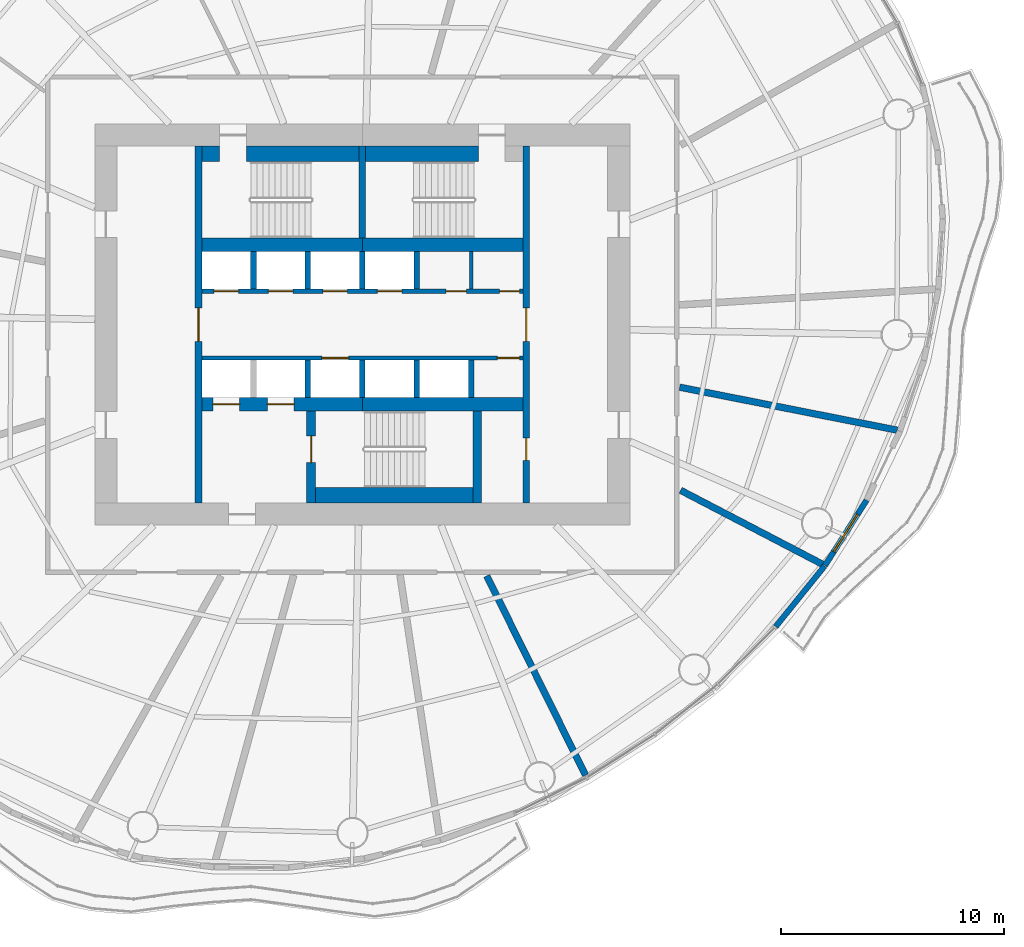
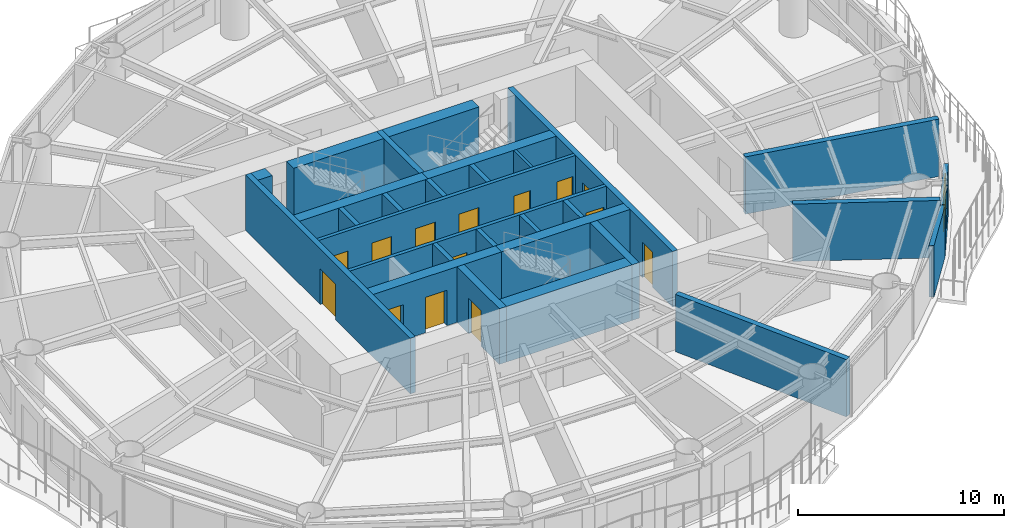
# One storey, part 9 of 15: 29 walls, 14 doors, 1 window, 15 openings.
"""IFC4 building model written with IfcOpenShell, lengths in metres."""

from ifc_helpers import new_model, si_unit, direction, frame, frame_2d, origin, place, context, subcontext, project, spatial, rectangle, extrude, material, layer, layer_set, type_object, element, fill, save


model = new_model("IFC4")

# Units and contexts
model_context = context("Model", 3, precision=1e-05, world=origin(), true_north=direction((0.0, 1.0)))
body_context = subcontext(model_context, "Body", "Model", "MODEL_VIEW")
ifc_project = project(units=[si_unit("LENGTHUNIT", "METRE"), si_unit("AREAUNIT", "SQUARE_METRE"), si_unit("VOLUMEUNIT", "CUBIC_METRE"), si_unit("PLANEANGLEUNIT", "RADIAN"), si_unit("MASSUNIT", "GRAM", prefix="KILO")], contexts=[model_context])

# Site, building, storey
site_placement = place(None, origin())
site = spatial("IfcSite", under=ifc_project, at=site_placement, CompositionType="ELEMENT")
building_placement = place(site_placement, origin())
building = spatial("IfcBuilding", under=site, at=building_placement, Name="Vermilion Reach Broadcast Tower", CompositionType="ELEMENT")
storey_placement = place(building_placement, frame((0.0, 0.0, 175.800048828125)))
storey = spatial("IfcBuildingStorey", under=building, at=storey_placement, Name="L42", CompositionType="ELEMENT", Elevation=175.800048828125)

# Wall, opening, door
ifc_material_1 = material(Name="Concrete C70", Category="concrete")
ifc_layer_1 = layer(ifc_material_1, 0.300048828125)
ifc_layer_set_1 = layer_set([ifc_layer_1], Name="Core inner wall 300 mm Concrete C70")
wall_type_1 = type_object("IfcWallType", Name="Core inner wall 300 mm Concrete C70", PredefinedType="SHEAR", material=ifc_layer_set_1)
wall_1_placement = place(storey_placement, frame((-13.35009765625, 8.0, 0.0), z_axis=(0.0, 0.0, 1.0), x_axis=(0.0, -1.0, 0.0)))
wall_1 = element("IfcWall", 1, at=wall_1_placement, inside=storey, type_object=wall_type_1, Name="L42 core wall ewW", PredefinedType="SHEAR", context=body_context, shape_type="SweptSolid", body=[
    extrude(rectangle(XDim=16.0, YDim=0.300048828125, at=frame_2d((8.0, 0.0))), origin(), (0.0, 0.0, 1.0), 3.300048828125),
])
opening_1_placement = place(wall_1_placement, frame((7.25, 0.0, 0.0)))
opening_1 = element("IfcOpeningElement", 2, at=opening_1_placement, cuts=wall_1, Name="Opening D04", PredefinedType="OPENING", context=body_context, shape_type="SweptSolid", body=[
    extrude(rectangle(XDim=1.5, YDim=2.10009765625, at=frame_2d((0.75, 1.050048828125))), frame((0.0, 0.159912109375, 0.0), z_axis=(0.0, -1.0, 0.0), x_axis=(1.0, 0.0, 0.0)), (0.0, 0.0, 1.0), 0.320068359375),
])
ifc_material_2 = material(Name="Painted steel fire door", Category="steel")
door_type_1 = type_object("IfcDoorType", Name="Lift lobby door 1500 x 2100", OperationType="DOUBLE_DOOR_SINGLE_SWING", PredefinedType="NOTDEFINED", material=ifc_material_2)
door_1_placement = place(opening_1_placement, origin())
door_1 = element("IfcDoor", 3, at=door_1_placement, inside=storey, type_object=door_type_1, Name="L42 band door BW", OperationType="DOUBLE_DOOR_SINGLE_SWING", OverallHeight=2.10009765625, OverallWidth=1.5, PredefinedType="NOTDEFINED", context=body_context, shape_type="SweptSolid", body=[
    extrude(rectangle(XDim=1.5, YDim=2.10009765625, at=frame_2d((0.75, 1.050048828125))), frame((0.0, 0.02490234375, 0.0), z_axis=(0.0, -1.0, 0.0), x_axis=(1.0, 0.0, 0.0)), (0.0, 0.0, 1.0), 0.050048828125),
])
fill(opening_1, door_1)

# Wall, openings, doors
wall_2_placement = place(storey_placement, frame((1.35009765625, -8.0, 0.0), z_axis=(0.0, 0.0, 1.0), x_axis=(0.0, 1.0, 0.0)))
wall_2 = element("IfcWall", 4, at=wall_2_placement, inside=storey, type_object=wall_type_1, Name="L42 core wall ewE", PredefinedType="SHEAR", context=body_context, shape_type="SweptSolid", body=[
    extrude(rectangle(XDim=16.0, YDim=0.300048828125, at=frame_2d((8.0, 0.0))), origin(), (0.0, 0.0, 1.0), 3.300048828125),
])
opening_2_placement = place(wall_2_placement, frame((1.909912109375, 0.0, 0.0)))
opening_2 = element("IfcOpeningElement", 5, at=opening_2_placement, cuts=wall_2, Name="Opening D05", PredefinedType="OPENING", context=body_context, shape_type="SweptSolid", body=[
    extrude(rectangle(XDim=1.0, YDim=2.10009765625, at=frame_2d((0.5, 1.050048828125))), frame((0.0, 0.159912109375, 0.0), z_axis=(0.0, -1.0, 0.0), x_axis=(1.0, 0.0, 0.0)), (0.0, 0.0, 1.0), 0.320068359375),
])
opening_3_placement = place(wall_2_placement, frame((7.25, 0.0, 0.0)))
opening_3 = element("IfcOpeningElement", 6, at=opening_3_placement, cuts=wall_2, Name="Opening D04", PredefinedType="OPENING", context=body_context, shape_type="SweptSolid", body=[
    extrude(rectangle(XDim=1.5, YDim=2.10009765625, at=frame_2d((0.75, 1.050048828125))), frame((0.0, 0.159912109375, 0.0), z_axis=(0.0, -1.0, 0.0), x_axis=(1.0, 0.0, 0.0)), (0.0, 0.0, 1.0), 0.320068359375),
])
door_2_placement = place(opening_3_placement, origin())
door_2 = element("IfcDoor", 7, at=door_2_placement, inside=storey, type_object=door_type_1, Name="L42 band door BE", OperationType="DOUBLE_DOOR_SINGLE_SWING", OverallHeight=2.10009765625, OverallWidth=1.5, PredefinedType="NOTDEFINED", context=body_context, shape_type="SweptSolid", body=[
    extrude(rectangle(XDim=1.5, YDim=2.10009765625, at=frame_2d((0.75, 1.050048828125))), frame((0.0, 0.02490234375, 0.0), z_axis=(0.0, -1.0, 0.0), x_axis=(1.0, 0.0, 0.0)), (0.0, 0.0, 1.0), 0.050048828125),
])
fill(opening_3, door_2)
ifc_material_3 = material(Name="Timber door", Category="wood")
door_type_2 = type_object("IfcDoorType", Name="Room door 1000 x 2100", OperationType="NOTDEFINED", PredefinedType="NOTDEFINED", material=ifc_material_3)
door_3_placement = place(opening_2_placement, origin())
door_3 = element("IfcDoor", 8, at=door_3_placement, inside=storey, type_object=door_type_2, Name="L42 door SER", OperationType="SINGLE_SWING_LEFT", OverallHeight=2.10009765625, OverallWidth=1.0, PredefinedType="NOTDEFINED", context=body_context, shape_type="SweptSolid", body=[
    extrude(rectangle(XDim=1.0, YDim=2.10009765625, at=frame_2d((0.5, 1.050048828125))), frame((0.0, 0.02490234375, 0.0), z_axis=(0.0, -1.0, 0.0), x_axis=(1.0, 0.0, 0.0)), (0.0, 0.0, 1.0), 0.050048828125),
])
fill(opening_2, door_3)

# Wall
wall_3_placement = place(storey_placement, frame((-6.0, 3.8798828125, 0.0), z_axis=(0.0, 0.0, 1.0), x_axis=(0.0, 1.0, 0.0)))
element("IfcWall", 9, at=wall_3_placement, inside=storey, type_object=wall_type_1, Name="L42 core wall wc", PredefinedType="SHEAR", context=body_context, shape_type="SweptSolid", body=[
    extrude(rectangle(XDim=4.1201171875, YDim=0.300048828125, at=frame_2d((2.06005859375, 0.0))), origin(), (0.0, 0.0, 1.0), 3.300048828125),
])

# Wall, opening, door
ifc_material_4 = material(Name="Concrete C70", Category="concrete")
ifc_layer_2 = layer(ifc_material_4, 0.39990234375)
ifc_layer_set_2 = layer_set([ifc_layer_2], Name="Core inner wall 400 mm Concrete C70")
wall_type_2 = type_object("IfcWallType", Name="Core inner wall 400 mm Concrete C70", PredefinedType="SHEAR", material=ifc_layer_set_2)
wall_4_placement = place(storey_placement, frame((-8.300048828125, -3.8798828125, 0.0), z_axis=(0.0, 0.0, 1.0), x_axis=(0.0, -1.0, 0.0)))
wall_4 = element("IfcWall", 10, at=wall_4_placement, inside=storey, type_object=wall_type_2, Name="L42 core wall wa", PredefinedType="SHEAR", context=body_context, shape_type="SweptSolid", body=[
    extrude(rectangle(XDim=4.1201171875, YDim=0.39990234375, at=frame_2d((2.06005859375, 0.0))), origin(), (0.0, 0.0, 1.0), 3.300048828125),
])
opening_4_placement = place(wall_4_placement, frame((1.110107421875, 0.0, 0.0)))
opening_4 = element("IfcOpeningElement", 11, at=opening_4_placement, cuts=wall_4, Name="Opening D01", PredefinedType="OPENING", context=body_context, shape_type="SweptSolid", body=[
    extrude(rectangle(XDim=1.199951171875, YDim=2.10009765625, at=frame_2d((0.60009765625, 1.050048828125))), frame((0.0, 0.2099609375, 0.0), z_axis=(0.0, -1.0, 0.0), x_axis=(1.0, 0.0, 0.0)), (0.0, 0.0, 1.0), 0.419921875),
])
ifc_material_5 = material(Name="Painted steel fire door", Category="steel")
door_type_3 = type_object("IfcDoorType", Name="Stair door 1200 x 2100", OperationType="DOUBLE_DOOR_SINGLE_SWING", PredefinedType="NOTDEFINED", material=ifc_material_5)
door_4_placement = place(opening_4_placement, origin())
door_4 = element("IfcDoor", 12, at=door_4_placement, inside=storey, type_object=door_type_3, Name="L42 stair door ST3", OperationType="DOUBLE_DOOR_SINGLE_SWING", OverallHeight=2.10009765625, OverallWidth=1.199951171875, PredefinedType="NOTDEFINED", context=body_context, shape_type="SweptSolid", body=[
    extrude(rectangle(XDim=1.199951171875, YDim=2.10009765625, at=frame_2d((0.60009765625, 1.050048828125))), frame((0.0, 0.02490234375, 0.0), z_axis=(0.0, -1.0, 0.0), x_axis=(1.0, 0.0, 0.0)), (0.0, 0.0, 1.0), 0.050048828125),
])
fill(opening_4, door_4)

# Walls
wall_5_placement = place(storey_placement, frame((-0.85009765625, -3.8798828125, 0.0), z_axis=(0.0, 0.0, 1.0), x_axis=(0.0, -1.0, 0.0)))
element("IfcWall", 13, at=wall_5_placement, inside=storey, type_object=wall_type_2, Name="L42 core wall wb", PredefinedType="SHEAR", context=body_context, shape_type="SweptSolid", body=[
    extrude(rectangle(XDim=4.1201171875, YDim=0.39990234375, at=frame_2d((2.06005859375, 0.0))), origin(), (0.0, 0.0, 1.0), 3.300048828125),
])
ifc_material_6 = material(Name="Concrete C70", Category="concrete")
ifc_layer_3 = layer(ifc_material_6, 0.60009765625)
ifc_layer_set_3 = layer_set([ifc_layer_3], Name="Core inner wall 600 mm Concrete C70")
wall_type_3 = type_object("IfcWallType", Name="Core inner wall 600 mm Concrete C70", PredefinedType="SHEAR", material=ifc_layer_set_3)
for number, where, z_axis, x_axis, name in (
    (14, (-13.199951171875, 3.580078125, 0.0), (0.0, 0.0, 1.0), (1.0, 0.0, 0.0), "L42 core wall winW"),
    (15, (-6.0, 3.580078125, 0.0), (0.0, 0.0, 1.0), (1.0, 0.0, 0.0), "L42 core wall winE"),
):
    element("IfcWall", number, at=place(storey_placement, frame(where, z_axis=z_axis, x_axis=x_axis)), inside=storey, type_object=wall_type_3, Name=name, PredefinedType="SHEAR", context=body_context, shape_type="SweptSolid", body=[
        extrude(rectangle(XDim=7.199951171875, YDim=0.60009765625, at=frame_2d((3.60009765625, 0.0))), origin(), (0.0, 0.0, 1.0), 3.300048828125),
    ])

# Wall, openings, doors
wall_6_placement = place(storey_placement, frame((-13.199951171875, -3.580078125, 0.0), z_axis=(0.0, 0.0, 1.0), x_axis=(1.0, 0.0, 0.0)))
wall_6 = element("IfcWall", 16, at=wall_6_placement, inside=storey, type_object=wall_type_3, Name="L42 core wall wisW", PredefinedType="SHEAR", context=body_context, shape_type="SweptSolid", body=[
    extrude(rectangle(XDim=7.199951171875, YDim=0.60009765625, at=frame_2d((3.60009765625, 0.0))), origin(), (0.0, 0.0, 1.0), 3.300048828125),
])
opening_5_placement = place(wall_6_placement, frame((0.495849609375, 0.0, 0.0)))
opening_5 = element("IfcOpeningElement", 17, at=opening_5_placement, cuts=wall_6, Name="Opening LD1", PredefinedType="OPENING", context=body_context, shape_type="SweptSolid", body=[
    extrude(rectangle(XDim=1.199951171875, YDim=2.10009765625, at=frame_2d((0.60009765625, 1.050048828125))), frame((0.0, 0.31005859375, 0.0), z_axis=(0.0, -1.0, 0.0), x_axis=(1.0, 0.0, 0.0)), (0.0, 0.0, 1.0), 0.6201171875),
])
opening_6_placement = place(wall_6_placement, frame((2.9375, 0.0, 0.0)))
opening_6 = element("IfcOpeningElement", 18, at=opening_6_placement, cuts=wall_6, Name="Opening LD1", PredefinedType="OPENING", context=body_context, shape_type="SweptSolid", body=[
    extrude(rectangle(XDim=1.199951171875, YDim=2.10009765625, at=frame_2d((0.60009765625, 1.050048828125))), frame((0.0, 0.31005859375, 0.0), z_axis=(0.0, -1.0, 0.0), x_axis=(1.0, 0.0, 0.0)), (0.0, 0.0, 1.0), 0.6201171875),
])
ifc_material_7 = material(Name="Stainless steel", Category="steel")
door_type_4 = type_object("IfcDoorType", Name="Landing door 1200 x 2100", OperationType="DOUBLE_DOOR_SLIDING", PredefinedType="NOTDEFINED", material=ifc_material_7)
door_5_placement = place(opening_5_placement, origin())
door_5 = element("IfcDoor", 19, at=door_5_placement, inside=storey, type_object=door_type_4, Name="L42 landing door FF1", OperationType="DOUBLE_DOOR_SLIDING", OverallHeight=2.10009765625, OverallWidth=1.199951171875, PredefinedType="NOTDEFINED", context=body_context, shape_type="SweptSolid", body=[
    extrude(rectangle(XDim=1.199951171875, YDim=2.10009765625, at=frame_2d((0.60009765625, 1.050048828125))), frame((0.0, 0.02490234375, 0.0), z_axis=(0.0, -1.0, 0.0), x_axis=(1.0, 0.0, 0.0)), (0.0, 0.0, 1.0), 0.050048828125),
])
fill(opening_5, door_5)
door_6_placement = place(opening_6_placement, origin())
door_6 = element("IfcDoor", 20, at=door_6_placement, inside=storey, type_object=door_type_4, Name="L42 landing door FF2", OperationType="DOUBLE_DOOR_SLIDING", OverallHeight=2.10009765625, OverallWidth=1.199951171875, PredefinedType="NOTDEFINED", context=body_context, shape_type="SweptSolid", body=[
    extrude(rectangle(XDim=1.199951171875, YDim=2.10009765625, at=frame_2d((0.60009765625, 1.050048828125))), frame((0.0, 0.02490234375, 0.0), z_axis=(0.0, -1.0, 0.0), x_axis=(1.0, 0.0, 0.0)), (0.0, 0.0, 1.0), 0.050048828125),
])
fill(opening_6, door_6)

# Walls
wall_7_placement = place(storey_placement, frame((-6.0, -3.580078125, 0.0), z_axis=(0.0, 0.0, 1.0), x_axis=(1.0, 0.0, 0.0)))
element("IfcWall", 21, at=wall_7_placement, inside=storey, type_object=wall_type_3, Name="L42 core wall wisE", PredefinedType="SHEAR", context=body_context, shape_type="SweptSolid", body=[
    extrude(rectangle(XDim=7.199951171875, YDim=0.60009765625, at=frame_2d((3.60009765625, 0.0))), origin(), (0.0, 0.0, 1.0), 3.300048828125),
])
ifc_material_8 = material(Name="Masonry block", Category="masonry")
ifc_layer_4 = layer(ifc_material_8, 0.14990234375)
ifc_layer_set_4 = layer_set([ifc_layer_4], Name="Core partition wall 150 mm Masonry block")
wall_type_4 = type_object("IfcWallType", Name="Core partition wall 150 mm Masonry block", PredefinedType="PARTITIONING", material=ifc_layer_set_4)
wall_8_placement = place(storey_placement, frame((-1.11669921875, 1.60009765625, 0.0), z_axis=(0.0, 0.0, 1.0), x_axis=(0.0, 1.0, 0.0)))
element("IfcWall", 22, at=wall_8_placement, inside=storey, type_object=wall_type_4, Name="L42 core wall prN4883", PredefinedType="PARTITIONING", context=body_context, shape_type="SweptSolid", body=[
    extrude(rectangle(XDim=1.679931640625, YDim=0.14990234375, at=frame_2d((0.83984375, 0.0))), origin(), (0.0, 0.0, 1.0), 3.300048828125),
])

# Wall, openings, doors
ifc_material_9 = material(Name="Concrete C50", Category="concrete")
ifc_layer_5 = layer(ifc_material_9, 0.199951171875)
ifc_layer_set_5 = layer_set([ifc_layer_5], Name="Core shaft wall 200 mm Concrete C50")
wall_type_5 = type_object("IfcWallType", Name="Core shaft wall 200 mm Concrete C50", PredefinedType="SHEAR", material=ifc_layer_set_5)
wall_9_placement = place(storey_placement, frame((-13.199951171875, 1.5, 0.0), z_axis=(0.0, 0.0, 1.0), x_axis=(1.0, 0.0, 0.0)))
wall_9 = element("IfcWall", 23, at=wall_9_placement, inside=storey, type_object=wall_type_5, Name="L42 core wall fn", PredefinedType="SHEAR", context=body_context, shape_type="SweptSolid", body=[
    extrude(rectangle(XDim=14.39990234375, YDim=0.199951171875, at=frame_2d((7.199951171875, 0.0))), origin(), (0.0, 0.0, 1.0), 3.300048828125),
])
opening_7_placement = place(wall_9_placement, frame((0.5458984375, 0.0, 0.0)))
opening_7 = element("IfcOpeningElement", 24, at=opening_7_placement, cuts=wall_9, Name="Opening LD2", PredefinedType="OPENING", context=body_context, shape_type="SweptSolid", body=[
    extrude(rectangle(XDim=1.10009765625, YDim=2.10009765625, at=frame_2d((0.550048828125, 1.050048828125))), frame((0.0, 0.10986328125, 0.0), z_axis=(0.0, -1.0, 0.0), x_axis=(1.0, 0.0, 0.0)), (0.0, 0.0, 1.0), 0.219970703125),
])
opening_8_placement = place(wall_9_placement, frame((2.987548828125, 0.0, 0.0)))
opening_8 = element("IfcOpeningElement", 25, at=opening_8_placement, cuts=wall_9, Name="Opening LD2", PredefinedType="OPENING", context=body_context, shape_type="SweptSolid", body=[
    extrude(rectangle(XDim=1.10009765625, YDim=2.10009765625, at=frame_2d((0.550048828125, 1.050048828125))), frame((0.0, 0.10986328125, 0.0), z_axis=(0.0, -1.0, 0.0), x_axis=(1.0, 0.0, 0.0)), (0.0, 0.0, 1.0), 0.219970703125),
])
opening_9_placement = place(wall_9_placement, frame((5.42919921875, 0.0, 0.0)))
opening_9 = element("IfcOpeningElement", 26, at=opening_9_placement, cuts=wall_9, Name="Opening LD2", PredefinedType="OPENING", context=body_context, shape_type="SweptSolid", body=[
    extrude(rectangle(XDim=1.10009765625, YDim=2.10009765625, at=frame_2d((0.550048828125, 1.050048828125))), frame((0.0, 0.10986328125, 0.0), z_axis=(0.0, -1.0, 0.0), x_axis=(1.0, 0.0, 0.0)), (0.0, 0.0, 1.0), 0.219970703125),
])
opening_10_placement = place(wall_9_placement, frame((7.870849609375, 0.0, 0.0)))
opening_10 = element("IfcOpeningElement", 27, at=opening_10_placement, cuts=wall_9, Name="Opening LD2", PredefinedType="OPENING", context=body_context, shape_type="SweptSolid", body=[
    extrude(rectangle(XDim=1.10009765625, YDim=2.10009765625, at=frame_2d((0.550048828125, 1.050048828125))), frame((0.0, 0.10986328125, 0.0), z_axis=(0.0, -1.0, 0.0), x_axis=(1.0, 0.0, 0.0)), (0.0, 0.0, 1.0), 0.219970703125),
])
opening_11_placement = place(wall_9_placement, frame((10.958251953125, 0.0, 0.0)))
opening_11 = element("IfcOpeningElement", 28, at=opening_11_placement, cuts=wall_9, Name="Opening D06", PredefinedType="OPENING", context=body_context, shape_type="SweptSolid", body=[
    extrude(rectangle(XDim=0.89990234375, YDim=2.10009765625, at=frame_2d((0.449951171875, 1.050048828125))), frame((0.0, 0.10986328125, 0.0), z_axis=(0.0, -1.0, 0.0), x_axis=(1.0, 0.0, 0.0)), (0.0, 0.0, 1.0), 0.219970703125),
])
opening_12_placement = place(wall_9_placement, frame((13.35009765625, 0.0, 0.0)))
opening_12 = element("IfcOpeningElement", 29, at=opening_12_placement, cuts=wall_9, Name="Opening D06", PredefinedType="OPENING", context=body_context, shape_type="SweptSolid", body=[
    extrude(rectangle(XDim=0.89990234375, YDim=2.10009765625, at=frame_2d((0.449951171875, 1.050048828125))), frame((0.0, 0.10986328125, 0.0), z_axis=(0.0, -1.0, 0.0), x_axis=(1.0, 0.0, 0.0)), (0.0, 0.0, 1.0), 0.219970703125),
])
ifc_material_10 = material(Name="Stainless steel", Category="steel")
door_type_5 = type_object("IfcDoorType", Name="Landing door 1100 x 2100", OperationType="DOUBLE_DOOR_SLIDING", PredefinedType="NOTDEFINED", material=ifc_material_10)
door_7_placement = place(opening_7_placement, origin())
door_7 = element("IfcDoor", 30, at=door_7_placement, inside=storey, type_object=door_type_5, Name="L42 landing door LR1", OperationType="DOUBLE_DOOR_SLIDING", OverallHeight=2.10009765625, OverallWidth=1.10009765625, PredefinedType="NOTDEFINED", context=body_context, shape_type="SweptSolid", body=[
    extrude(rectangle(XDim=1.10009765625, YDim=2.10009765625, at=frame_2d((0.550048828125, 1.050048828125))), frame((0.0, 0.02490234375, 0.0), z_axis=(0.0, -1.0, 0.0), x_axis=(1.0, 0.0, 0.0)), (0.0, 0.0, 1.0), 0.050048828125),
])
fill(opening_7, door_7)
door_8_placement = place(opening_8_placement, origin())
door_8 = element("IfcDoor", 31, at=door_8_placement, inside=storey, type_object=door_type_5, Name="L42 landing door LR2", OperationType="DOUBLE_DOOR_SLIDING", OverallHeight=2.10009765625, OverallWidth=1.10009765625, PredefinedType="NOTDEFINED", context=body_context, shape_type="SweptSolid", body=[
    extrude(rectangle(XDim=1.10009765625, YDim=2.10009765625, at=frame_2d((0.550048828125, 1.050048828125))), frame((0.0, 0.02490234375, 0.0), z_axis=(0.0, -1.0, 0.0), x_axis=(1.0, 0.0, 0.0)), (0.0, 0.0, 1.0), 0.050048828125),
])
fill(opening_8, door_8)
door_9_placement = place(opening_9_placement, origin())
door_9 = element("IfcDoor", 32, at=door_9_placement, inside=storey, type_object=door_type_5, Name="L42 landing door LR3", OperationType="DOUBLE_DOOR_SLIDING", OverallHeight=2.10009765625, OverallWidth=1.10009765625, PredefinedType="NOTDEFINED", context=body_context, shape_type="SweptSolid", body=[
    extrude(rectangle(XDim=1.10009765625, YDim=2.10009765625, at=frame_2d((0.550048828125, 1.050048828125))), frame((0.0, 0.02490234375, 0.0), z_axis=(0.0, -1.0, 0.0), x_axis=(1.0, 0.0, 0.0)), (0.0, 0.0, 1.0), 0.050048828125),
])
fill(opening_9, door_9)
door_10_placement = place(opening_10_placement, origin())
door_10 = element("IfcDoor", 33, at=door_10_placement, inside=storey, type_object=door_type_5, Name="L42 landing door LR4", OperationType="DOUBLE_DOOR_SLIDING", OverallHeight=2.10009765625, OverallWidth=1.10009765625, PredefinedType="NOTDEFINED", context=body_context, shape_type="SweptSolid", body=[
    extrude(rectangle(XDim=1.10009765625, YDim=2.10009765625, at=frame_2d((0.550048828125, 1.050048828125))), frame((0.0, 0.02490234375, 0.0), z_axis=(0.0, -1.0, 0.0), x_axis=(1.0, 0.0, 0.0)), (0.0, 0.0, 1.0), 0.050048828125),
])
fill(opening_10, door_10)
ifc_material_11 = material(Name="Timber door", Category="wood")
door_type_6 = type_object("IfcDoorType", Name="WC door 900 x 2100", OperationType="NOTDEFINED", PredefinedType="NOTDEFINED", material=ifc_material_11)
door_11_placement = place(opening_11_placement, origin())
door_11 = element("IfcDoor", 34, at=door_11_placement, inside=storey, type_object=door_type_6, Name="L42 door Female WC", OperationType="SINGLE_SWING_RIGHT", OverallHeight=2.10009765625, OverallWidth=0.89990234375, PredefinedType="NOTDEFINED", context=body_context, shape_type="SweptSolid", body=[
    extrude(rectangle(XDim=0.89990234375, YDim=2.10009765625, at=frame_2d((0.449951171875, 1.050048828125))), frame((0.0, 0.02490234375, 0.0), z_axis=(0.0, -1.0, 0.0), x_axis=(1.0, 0.0, 0.0)), (0.0, 0.0, 1.0), 0.050048828125),
])
fill(opening_11, door_11)
door_12_placement = place(opening_12_placement, origin())
door_12 = element("IfcDoor", 35, at=door_12_placement, inside=storey, type_object=door_type_6, Name="L42 door Male WC", OperationType="SINGLE_SWING_RIGHT", OverallHeight=2.10009765625, OverallWidth=0.89990234375, PredefinedType="NOTDEFINED", context=body_context, shape_type="SweptSolid", body=[
    extrude(rectangle(XDim=0.89990234375, YDim=2.10009765625, at=frame_2d((0.449951171875, 1.050048828125))), frame((0.0, 0.02490234375, 0.0), z_axis=(0.0, -1.0, 0.0), x_axis=(1.0, 0.0, 0.0)), (0.0, 0.0, 1.0), 0.050048828125),
])
fill(opening_12, door_12)

wall_10_placement = place(storey_placement, frame((1.199951171875, -1.5, 0.0), z_axis=(0.0, 0.0, 1.0), x_axis=(-1.0, 0.0, 0.0)))
wall_10 = element("IfcWall", 36, at=wall_10_placement, inside=storey, type_object=wall_type_5, Name="L42 core wall fs", PredefinedType="SHEAR", context=body_context, shape_type="SweptSolid", body=[
    extrude(rectangle(XDim=14.39990234375, YDim=0.199951171875, at=frame_2d((7.199951171875, 0.0))), origin(), (0.0, 0.0, 1.0), 3.300048828125),
])
opening_13_placement = place(wall_10_placement, frame((7.82080078125, 0.0, 0.0)))
opening_13 = element("IfcOpeningElement", 37, at=opening_13_placement, cuts=wall_10, Name="Opening LD1", PredefinedType="OPENING", context=body_context, shape_type="SweptSolid", body=[
    extrude(rectangle(XDim=1.199951171875, YDim=2.10009765625, at=frame_2d((0.60009765625, 1.050048828125))), frame((0.0, 0.10986328125, 0.0), z_axis=(0.0, -1.0, 0.0), x_axis=(1.0, 0.0, 0.0)), (0.0, 0.0, 1.0), 0.219970703125),
])
opening_14_placement = place(wall_10_placement, frame((0.14990234375, 0.0, 0.0)))
opening_14 = element("IfcOpeningElement", 38, at=opening_14_placement, cuts=wall_10, Name="Opening D07", PredefinedType="OPENING", context=body_context, shape_type="SweptSolid", body=[
    extrude(rectangle(XDim=1.0, YDim=2.10009765625, at=frame_2d((0.5, 1.050048828125))), frame((0.0, 0.10986328125, 0.0), z_axis=(0.0, -1.0, 0.0), x_axis=(1.0, 0.0, 0.0)), (0.0, 0.0, 1.0), 0.219970703125),
])
ifc_material_12 = material(Name="Timber door", Category="wood")
door_type_7 = type_object("IfcDoorType", Name="Accessible WC door 1000 x 2100", OperationType="NOTDEFINED", PredefinedType="NOTDEFINED", material=ifc_material_12)
door_13_placement = place(opening_14_placement, origin())
door_13 = element("IfcDoor", 39, at=door_13_placement, inside=storey, type_object=door_type_7, Name="L42 door Accessible WC", OperationType="SINGLE_SWING_LEFT", OverallHeight=2.10009765625, OverallWidth=1.0, PredefinedType="NOTDEFINED", context=body_context, shape_type="SweptSolid", body=[
    extrude(rectangle(XDim=1.0, YDim=2.10009765625, at=frame_2d((0.5, 1.050048828125))), frame((0.0, 0.02490234375, 0.0), z_axis=(0.0, -1.0, 0.0), x_axis=(1.0, 0.0, 0.0)), (0.0, 0.0, 1.0), 0.050048828125),
])
fill(opening_14, door_13)
door_14_placement = place(opening_13_placement, origin())
door_14 = element("IfcDoor", 40, at=door_14_placement, inside=storey, type_object=door_type_4, Name="L42 landing door SV1", OperationType="DOUBLE_DOOR_SLIDING", OverallHeight=2.10009765625, OverallWidth=1.199951171875, PredefinedType="NOTDEFINED", context=body_context, shape_type="SweptSolid", body=[
    extrude(rectangle(XDim=1.199951171875, YDim=2.10009765625, at=frame_2d((0.60009765625, 1.050048828125))), frame((0.0, 0.02490234375, 0.0), z_axis=(0.0, -1.0, 0.0), x_axis=(1.0, 0.0, 0.0)), (0.0, 0.0, 1.0), 0.050048828125),
])
fill(opening_13, door_14)

# Walls
ifc_material_13 = material(Name="Concrete C50", Category="concrete")
ifc_layer_6 = layer(ifc_material_13, 0.25)
ifc_layer_set_6 = layer_set([ifc_layer_6], Name="Core shaft wall 250 mm Concrete C50")
wall_type_6 = type_object("IfcWallType", Name="Core shaft wall 250 mm Concrete C50", PredefinedType="SHEAR", material=ifc_layer_set_6)
for number, where, z_axis, x_axis, name in (
    (41, (-10.88330078125, 1.60009765625, 0.0), (0.0, 0.0, 1.0), (0.0, 1.0, 0.0), "L42 core wall psN0"),
    (42, (-8.441650390625, 1.60009765625, 0.0), (0.0, 0.0, 1.0), (0.0, 1.0, 0.0), "L42 core wall psN1"),
    (43, (-6.0, 1.60009765625, 0.0), (0.0, 0.0, 1.0), (0.0, 1.0, 0.0), "L42 core wall psN2"),
    (44, (-3.558349609375, 1.60009765625, 0.0), (0.0, 0.0, 1.0), (0.0, 1.0, 0.0), "L42 core wall psN3"),
    (45, (-8.441650390625, -1.60009765625, 0.0), (0.0, 0.0, 1.0), (0.0, -1.0, 0.0), "L42 core wall psS1"),
    (46, (-6.0, -1.60009765625, 0.0), (0.0, 0.0, 1.0), (0.0, -1.0, 0.0), "L42 core wall psS2"),
    (47, (-3.558349609375, -1.60009765625, 0.0), (0.0, 0.0, 1.0), (0.0, -1.0, 0.0), "L42 core wall psS3"),
    (48, (-1.11669921875, -1.60009765625, 0.0), (0.0, 0.0, 1.0), (0.0, -1.0, 0.0), "L42 core wall psS4"),
):
    element("IfcWall", number, at=place(storey_placement, frame(where, z_axis=z_axis, x_axis=x_axis)), inside=storey, type_object=wall_type_6, Name=name, PredefinedType="SHEAR", context=body_context, shape_type="SweptSolid", body=[
        extrude(rectangle(XDim=1.679931640625, YDim=0.25, at=frame_2d((0.83984375, 0.0))), origin(), (0.0, 0.0, 1.0), 3.300048828125),
    ])
ifc_material_14 = material(Name="Concrete C70", Category="concrete")
ifc_layer_7 = layer(ifc_material_14, 0.699951171875)
ifc_layer_set_7 = layer_set([ifc_layer_7], Name="Core stair wall 700 mm Concrete C70")
wall_type_7 = type_object("IfcWallType", Name="Core stair wall 700 mm Concrete C70", PredefinedType="SHEAR", material=ifc_layer_set_7)
wall_11_placement = place(storey_placement, frame((-13.199951171875, 7.64990234375, 0.0), z_axis=(0.0, 0.0, 1.0), x_axis=(1.0, 0.0, 0.0)))
element("IfcWall", 49, at=wall_11_placement, inside=storey, type_object=wall_type_7, Name="L42 core wall l1a", PredefinedType="SHEAR", context=body_context, shape_type="SweptSolid", body=[
    extrude(rectangle(XDim=0.800048828125, YDim=0.699951171875, at=frame_2d((0.39990234375, 0.0))), origin(), (0.0, 0.0, 1.0), 3.300048828125),
])
for number, where, z_axis, x_axis, name in (
    (50, (-11.199951171875, 7.64990234375, 0.0), (0.0, 0.0, 1.0), (1.0, 0.0, 0.0), "L42 core wall l1b"),
    (51, (-5.85009765625, 7.64990234375, 0.0), (0.0, 0.0, 1.0), (1.0, 0.0, 0.0), "L42 core wall l2a"),
):
    element("IfcWall", number, at=place(storey_placement, frame(where, z_axis=z_axis, x_axis=x_axis)), inside=storey, type_object=wall_type_7, Name=name, PredefinedType="SHEAR", context=body_context, shape_type="SweptSolid", body=[
        extrude(rectangle(XDim=5.050048828125, YDim=0.699951171875, at=frame_2d((2.52490234375, 0.0))), origin(), (0.0, 0.0, 1.0), 3.300048828125),
    ])
wall_12_placement = place(storey_placement, frame((-8.10009765625, -7.64990234375, 0.0), z_axis=(0.0, 0.0, 1.0), x_axis=(1.0, 0.0, 0.0)))
element("IfcWall", 52, at=wall_12_placement, inside=storey, type_object=wall_type_7, Name="L42 core wall l3", PredefinedType="SHEAR", context=body_context, shape_type="SweptSolid", body=[
    extrude(rectangle(XDim=7.050048828125, YDim=0.699951171875, at=frame_2d((3.52490234375, 0.0))), origin(), (0.0, 0.0, 1.0), 3.300048828125),
])
ifc_material_15 = material(Name="Double-leaf plasterboard on isolated steel stud", Category="steel")
ifc_layer_8 = layer(ifc_material_15, 0.300048828125)
ifc_layer_set_8 = layer_set([ifc_layer_8], Name="Partition 300 acoustic double leaf")
wall_type_8 = type_object("IfcWallType", Name="Partition 300 acoustic double leaf", PredefinedType="PARTITIONING", material=ifc_layer_set_8)
wall_13_placement = place(storey_placement, frame((4.00439453125, -20.20947265625, 0.0), z_axis=(0.0, 0.0, 1.0), x_axis=(-0.443647752569, 0.896201245056, 0.0)))
element("IfcWall", 53, at=wall_13_placement, inside=storey, type_object=wall_type_8, Name="Partition 42.10", PredefinedType="PARTITIONING", context=body_context, shape_type="SweptSolid", body=[
    extrude(rectangle(XDim=9.978759765625, YDim=0.300048828125, at=frame_2d((4.9892578125, 0.0))), origin(), (0.0, 0.0, 1.0), 3.39990234375),
])
wall_14_placement = place(storey_placement, frame((14.63232421875, -10.74853515625, 0.0), z_axis=(0.0, 0.0, 1.0), x_axis=(-0.886864995103, 0.462028657618, 0.0)))
element("IfcWall", 54, at=wall_14_placement, inside=storey, type_object=wall_type_8, Name="Partition 42.11", PredefinedType="PARTITIONING", context=body_context, shape_type="SweptSolid", body=[
    extrude(rectangle(XDim=7.1748046875, YDim=0.300048828125, at=frame_2d((3.58740234375, 0.0))), origin(), (0.0, 0.0, 1.0), 3.39990234375),
])
wall_15_placement = place(storey_placement, frame((17.98681640625, -4.7373046875, 0.0), z_axis=(0.0, 0.0, 1.0), x_axis=(-0.981048005171, 0.193764835689, 0.0)))
element("IfcWall", 55, at=wall_15_placement, inside=storey, type_object=wall_type_8, Name="Partition 42.12", PredefinedType="PARTITIONING", context=body_context, shape_type="SweptSolid", body=[
    extrude(rectangle(XDim=9.9462890625, YDim=0.300048828125, at=frame_2d((4.97314453125, 0.0))), origin(), (0.0, 0.0, 1.0), 3.39990234375),
])
ifc_material_16 = material(Name="Terracotta rainscreen cladding", Category="masonry")
ifc_layer_9 = layer(ifc_material_16, 0.25)
ifc_layer_set_9 = layer_set([ifc_layer_9], Name="Terracotta rainscreen wall 250")
wall_type_9 = type_object("IfcWallType", Name="Terracotta rainscreen wall 250", PredefinedType="SOLIDWALL", material=ifc_layer_set_9)
wall_16_placement = place(storey_placement, frame((12.533447265625, -13.544921875, 0.0), z_axis=(0.0, 0.0, 1.0), x_axis=(0.628441308027, 0.777857006374, 0.0)))
element("IfcWall", 56, at=wall_16_placement, inside=storey, type_object=wall_type_9, Name="External wall L42 38", PredefinedType="SOLIDWALL", context=body_context, shape_type="SweptSolid", body=[
    extrude(rectangle(XDim=3.490234375, YDim=0.25, at=frame_2d((1.7451171875, 0.0))), origin(), (0.0, 0.0, 1.0), 3.050048828125),
])

# Wall, opening, window
wall_17_placement = place(storey_placement, frame((14.73974609375, -10.81201171875, 0.0), z_axis=(0.0, 0.0, 1.0), x_axis=(0.53695729442, 0.843609426197, 0.0)))
wall_17 = element("IfcWall", 57, at=wall_17_placement, inside=storey, type_object=wall_type_9, Name="External wall L42 39", PredefinedType="SOLIDWALL", context=body_context, shape_type="SweptSolid", body=[
    extrude(rectangle(XDim=3.47607421875, YDim=0.25, at=frame_2d((1.738037109375, 0.0))), origin(), (0.0, 0.0, 1.0), 3.050048828125),
])
opening_15_placement = place(wall_17_placement, frame((0.738037109375, 0.0, 0.89990234375)))
opening_15 = element("IfcOpeningElement", 58, at=opening_15_placement, cuts=wall_17, Name="Opening W03", PredefinedType="OPENING", context=body_context, shape_type="SweptSolid", body=[
    extrude(rectangle(XDim=2.0, YDim=2.10009765625, at=frame_2d((1.0, 1.050048828125))), frame((0.0, 0.135009765625, 0.0), z_axis=(0.0, -1.0, 0.0), x_axis=(1.0, 0.0, 0.0)), (0.0, 0.0, 1.0), 0.27001953125),
])
ifc_material_17 = material(Name="Low-e laminated clear glass in aluminium frame", Category="aluminium")
window_type = type_object("IfcWindowType", Name="Punched window 2000 x 2100 sill 900", PartitioningType="SINGLE_PANEL", PredefinedType="WINDOW", material=ifc_material_17)
window_placement = place(opening_15_placement, origin())
window = element("IfcWindow", 59, at=window_placement, inside=storey, type_object=window_type, Name="Window L42 39", OverallHeight=2.10009765625, OverallWidth=2.0, PartitioningType="SINGLE_PANEL", PredefinedType="WINDOW", context=body_context, shape_type="SweptSolid", body=[
    extrude(rectangle(XDim=2.0, YDim=2.10009765625, at=frame_2d((1.0, 1.050048828125))), frame((0.0, 0.030029296875, 0.0), z_axis=(0.0, -1.0, 0.0), x_axis=(1.0, 0.0, 0.0)), (0.0, 0.0, 1.0), 0.06005859375),
])
fill(opening_15, window)

save(model, "model.ifc")
